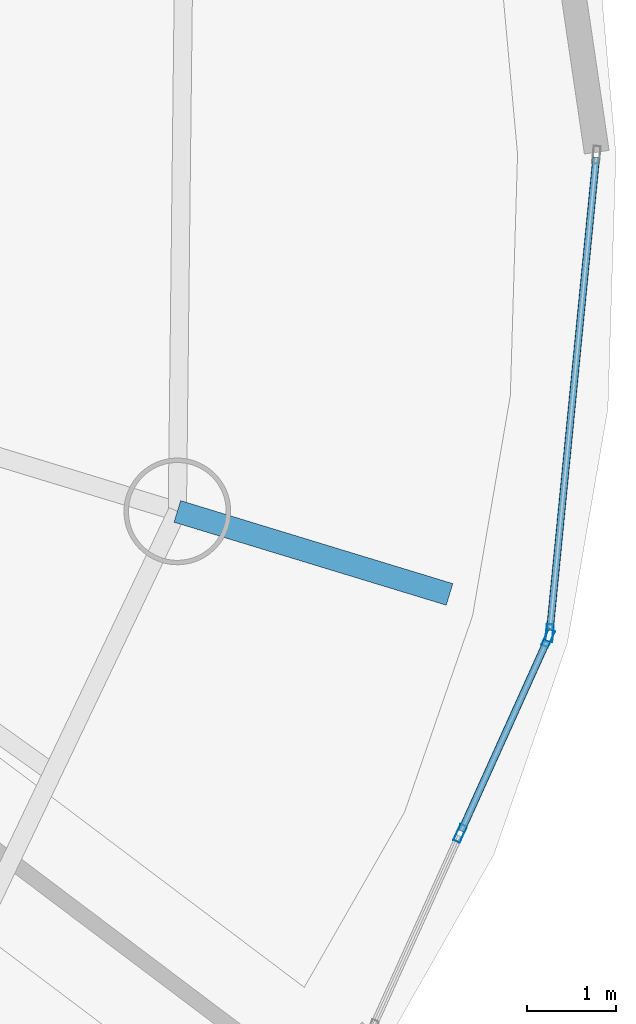
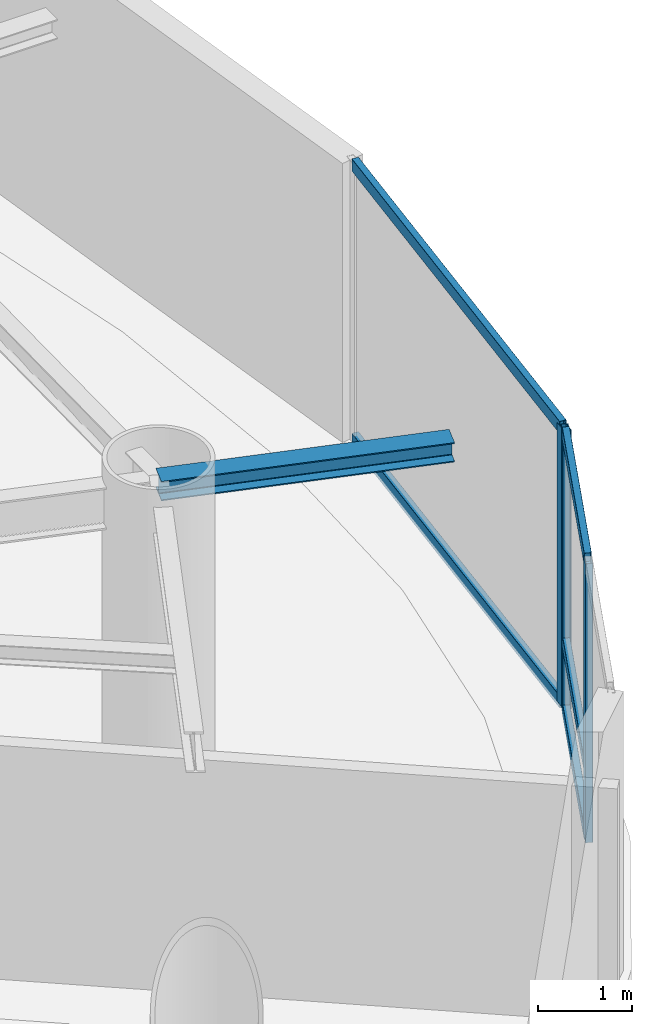
# One storey, part 9 of 25: 8 members, 1 beam, 2 elements without a shape of their own.
"""IFC4 building model written with IfcOpenShell, lengths in metres."""

from ifc_helpers import new_model, si_unit, direction, frame, origin, origin_2d, place, context, subcontext, project, spatial, hollow_rectangle, i_section, extrude, material, layer, layer_set, material_profile, profile_set, type_object, element, aggregate, save


model = new_model("IFC4")

# Units and contexts
model_context = context("Model", 3, precision=1e-05, world=origin(), true_north=direction((0.0, 1.0)))
body_context = subcontext(model_context, "Body", "Model", "MODEL_VIEW")
ifc_project = project(units=[si_unit("LENGTHUNIT", "METRE"), si_unit("AREAUNIT", "SQUARE_METRE"), si_unit("VOLUMEUNIT", "CUBIC_METRE"), si_unit("PLANEANGLEUNIT", "RADIAN"), si_unit("MASSUNIT", "GRAM", prefix="KILO")], contexts=[model_context])

# Site, building, storey
site_placement = place(None, origin())
site = spatial("IfcSite", under=ifc_project, at=site_placement, CompositionType="ELEMENT")
building_placement = place(site_placement, origin())
building = spatial("IfcBuilding", under=site, at=building_placement, Name="Bramvorn Convention Spire", CompositionType="ELEMENT")
storey_placement = place(building_placement, frame((0.0, 0.0, 171.199951171875)))
storey = spatial("IfcBuildingStorey", under=building, at=storey_placement, Name="L43", CompositionType="ELEMENT", Elevation=171.199951171875)

# Beam
ifc_material_1 = material(Name="Steel CSA G40.21 Grade 350 (350W)", Category="steel")
ifc_material_profile_1 = material_profile(ifc_material_1, i_section(OverallWidth=0.25390625, OverallDepth=0.2529296875, WebThickness=0.008544921875, FlangeThickness=0.01416015625, FilletRadius=0.011962890625, at=origin_2d()))
ifc_profile_set_1 = profile_set([ifc_material_profile_1], Name="Steel CSA G40.21 Grade 350 (350W) - W250X73")
beam_type = type_object("IfcBeamType", Name="BM-W250X73", PredefinedType="BEAM", material=ifc_profile_set_1)
beam_placement = place(storey_placement, frame((58.863037109375, 15.619384765625, 3.49365234375), z_axis=(0.956544433432, -0.291586602694, 0.0), x_axis=(0.291586602694, 0.956544433432, 0.0)))
element("IfcBeam", 1, at=beam_placement, inside=storey, type_object=beam_type, Name="L43 slab-edge cantilever tip beam MC02", PredefinedType="BEAM", context=body_context, shape_type="SweptSolid", body=[
    extrude(i_section(OverallWidth=0.25390625, OverallDepth=0.2529296875, WebThickness=0.008544921875, FlangeThickness=0.01416015625, FilletRadius=0.011962890625, at=origin_2d()), origin(), (0.0, 0.0, 1.0), 3.2001953125),
])

# Curtain wall, members
ifc_material_2 = material(Name="Anodised Bronze Unitised Curtain Wall", Category="aluminium")
ifc_layer = layer(ifc_material_2, 0.179931640625)
ifc_layer_set = layer_set([ifc_layer], Name="Anodised Bronze Unitised Curtain Wall - CW-OFF-FRIT")
curtain_wall_type = type_object("IfcCurtainWallType", Name="CW-OFF-FRIT", PredefinedType="USERDEFINED", material=ifc_layer_set)
curtain_wall_1_placement = place(storey_placement, origin())
curtain_wall_1 = element("IfcCurtainWall", 2, at=curtain_wall_1_placement, inside=storey, type_object=curtain_wall_type, Name="L43 fritted glass curtain wall 01", ObjectType="UNITISED CURTAIN WALL", PredefinedType="USERDEFINED")
ifc_material_3 = material(Name="Anodised Bronze Aluminium 6063-T6", Category="aluminium")
ifc_material_profile_2 = material_profile(ifc_material_3, hollow_rectangle(XDim=0.080078125, YDim=0.199951171875, WallThickness=0.00390625, InnerFilletRadius=0.0009765625, OuterFilletRadius=0.00390625, at=origin_2d()))
ifc_profile_set_2 = profile_set([ifc_material_profile_2], Name="Anodised Bronze Aluminium 6063-T6 - CWM80X200")
member_type_1 = type_object("IfcMemberType", Name="CW-MUL-180", PredefinedType="MULLION", material=ifc_profile_set_2)
member_1_placement = place(storey_placement, frame((63.034423828125, 14.19384765625, 0.0), z_axis=(0.0, 0.0, 1.0), x_axis=(0.911522400436, -0.411250426753, 0.0)))
member_1 = element("IfcMember", 3, at=member_1_placement, type_object=member_type_1, Name="CW3 mullion 1", PredefinedType="MULLION", context=body_context, shape_type="SweptSolid", body=[
    extrude(hollow_rectangle(XDim=0.080078125, YDim=0.199951171875, WallThickness=0.00390625, InnerFilletRadius=0.0009765625, OuterFilletRadius=0.00390625, at=origin_2d()), origin(), (0.0, 0.0, 1.0), 3.6201171875),
])
member_2_placement = place(storey_placement, frame((62.0439453125, 11.99853515625, 0.0), z_axis=(0.0, 0.0, 1.0), x_axis=(0.911522400436, -0.411250426753, 0.0)))
member_2 = element("IfcMember", 4, at=member_2_placement, type_object=member_type_1, Name="CW3 mullion 2", PredefinedType="MULLION", context=body_context, shape_type="SweptSolid", body=[
    extrude(hollow_rectangle(XDim=0.080078125, YDim=0.199951171875, WallThickness=0.00390625, InnerFilletRadius=0.0009765625, OuterFilletRadius=0.00390625, at=origin_2d()), origin(), (0.0, 0.0, 1.0), 3.6201171875),
])

# Curtain wall, member
curtain_wall_2_placement = place(storey_placement, origin())
curtain_wall_2 = element("IfcCurtainWall", 5, at=curtain_wall_2_placement, inside=storey, type_object=curtain_wall_type, Name="L43 fritted glass curtain wall 02", ObjectType="UNITISED CURTAIN WALL", PredefinedType="USERDEFINED")
member_3_placement = place(storey_placement, frame((63.049560546875, 14.2509765625, 0.0), z_axis=(0.0, 0.0, 1.0), x_axis=(0.995233610911, -0.097519535036, 0.0)))
member_3 = element("IfcMember", 6, at=member_3_placement, type_object=member_type_1, Name="CW3 mullion 2", PredefinedType="MULLION", context=body_context, shape_type="SweptSolid", body=[
    extrude(hollow_rectangle(XDim=0.080078125, YDim=0.199951171875, WallThickness=0.00390625, InnerFilletRadius=0.0009765625, OuterFilletRadius=0.00390625, at=origin_2d()), origin(), (0.0, 0.0, 1.0), 3.6201171875),
])

# Member
ifc_material_profile_3 = material_profile(ifc_material_3, hollow_rectangle(XDim=0.080078125, YDim=0.159912109375, WallThickness=0.00390625, InnerFilletRadius=0.0009765625, OuterFilletRadius=0.00390625, at=origin_2d()))
ifc_profile_set_3 = profile_set([ifc_material_profile_3], Name="Anodised Bronze Aluminium 6063-T6 - CWT80X160")
member_type_2 = type_object("IfcMemberType", Name="CW-TRN-150", PredefinedType="USERDEFINED", material=ifc_profile_set_3)
member_4_placement = place(storey_placement, frame((63.02197265625, 14.16650390625, 0.030029296875), z_axis=(-0.41117720511, -0.911555432213, 0.0), x_axis=(0.911555432213, -0.41117720511, 0.0)))
member_4 = element("IfcMember", 7, at=member_4_placement, type_object=member_type_2, Name="CW3 transom 1.1", ObjectType="TRANSOM", PredefinedType="USERDEFINED", context=body_context, shape_type="SweptSolid", body=[
    extrude(hollow_rectangle(XDim=0.080078125, YDim=0.159912109375, WallThickness=0.00390625, InnerFilletRadius=0.0009765625, OuterFilletRadius=0.00390625, at=origin_2d()), origin(), (0.0, 0.0, 1.0), 2.348388671875),
])

member_5_placement = place(storey_placement, frame((63.02197265625, 14.16650390625, 0.900146484375), z_axis=(-0.41117720511, -0.911555432213, 0.0), x_axis=(0.911555432213, -0.41117720511, 0.0)))
member_5 = element("IfcMember", 8, at=member_5_placement, type_object=member_type_2, Name="CW3 transom 1.2", ObjectType="TRANSOM", PredefinedType="USERDEFINED", context=body_context, shape_type="SweptSolid", body=[
    extrude(hollow_rectangle(XDim=0.080078125, YDim=0.159912109375, WallThickness=0.00390625, InnerFilletRadius=0.0009765625, OuterFilletRadius=0.00390625, at=origin_2d()), origin(), (0.0, 0.0, 1.0), 2.348388671875),
])

member_6_placement = place(storey_placement, frame((63.02197265625, 14.16650390625, 3.590087890625), z_axis=(-0.41117720511, -0.911555432213, 0.0), x_axis=(0.911555432213, -0.41117720511, 0.0)))
member_6 = element("IfcMember", 9, at=member_6_placement, type_object=member_type_2, Name="CW3 transom 1.3", ObjectType="TRANSOM", PredefinedType="USERDEFINED", context=body_context, shape_type="SweptSolid", body=[
    extrude(hollow_rectangle(XDim=0.080078125, YDim=0.159912109375, WallThickness=0.00390625, InnerFilletRadius=0.0009765625, OuterFilletRadius=0.00390625, at=origin_2d()), origin(), (0.0, 0.0, 1.0), 2.348388671875),
])

aggregate(curtain_wall_1, [member_1, member_2, member_4, member_5, member_6])

member_7_placement = place(storey_placement, frame((63.57373046875, 19.599853515625, 0.030029296875), z_axis=(-0.097527065855, -0.995232872963, 0.0), x_axis=(0.995232872963, -0.097527065855, 0.0)))
member_7 = element("IfcMember", 10, at=member_7_placement, type_object=member_type_2, Name="CW3 transom 1.1", ObjectType="TRANSOM", PredefinedType="USERDEFINED", context=body_context, shape_type="SweptSolid", body=[
    extrude(hollow_rectangle(XDim=0.080078125, YDim=0.159912109375, WallThickness=0.00390625, InnerFilletRadius=0.0009765625, OuterFilletRadius=0.00390625, at=origin_2d()), origin(), (0.0, 0.0, 1.0), 5.344482421875),
])

member_8_placement = place(storey_placement, frame((63.57373046875, 19.599853515625, 3.590087890625), z_axis=(-0.097527065855, -0.995232872963, 0.0), x_axis=(0.995232872963, -0.097527065855, 0.0)))
member_8 = element("IfcMember", 11, at=member_8_placement, type_object=member_type_2, Name="CW3 transom 1.2", ObjectType="TRANSOM", PredefinedType="USERDEFINED", context=body_context, shape_type="SweptSolid", body=[
    extrude(hollow_rectangle(XDim=0.080078125, YDim=0.159912109375, WallThickness=0.00390625, InnerFilletRadius=0.0009765625, OuterFilletRadius=0.00390625, at=origin_2d()), origin(), (0.0, 0.0, 1.0), 5.344482421875),
])

aggregate(curtain_wall_2, [member_3, member_7, member_8])

save(model, "model.ifc")
